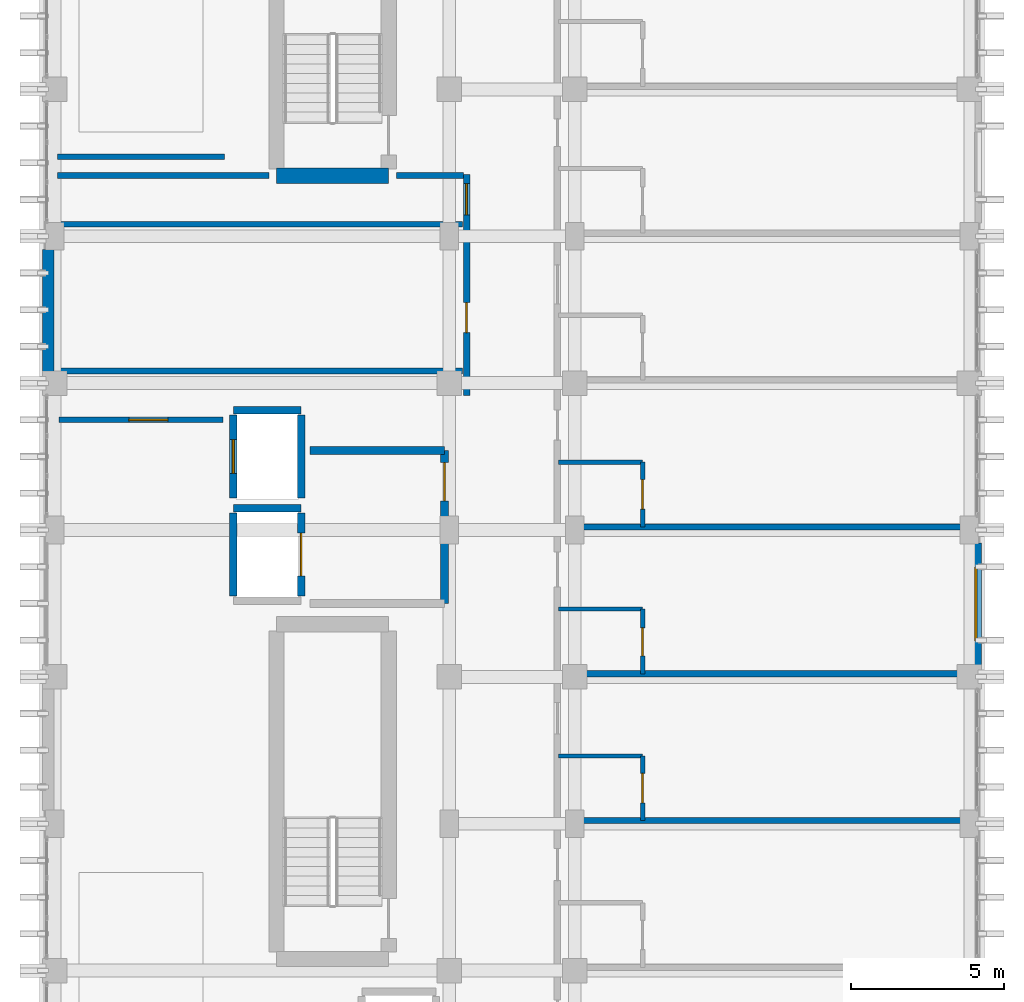
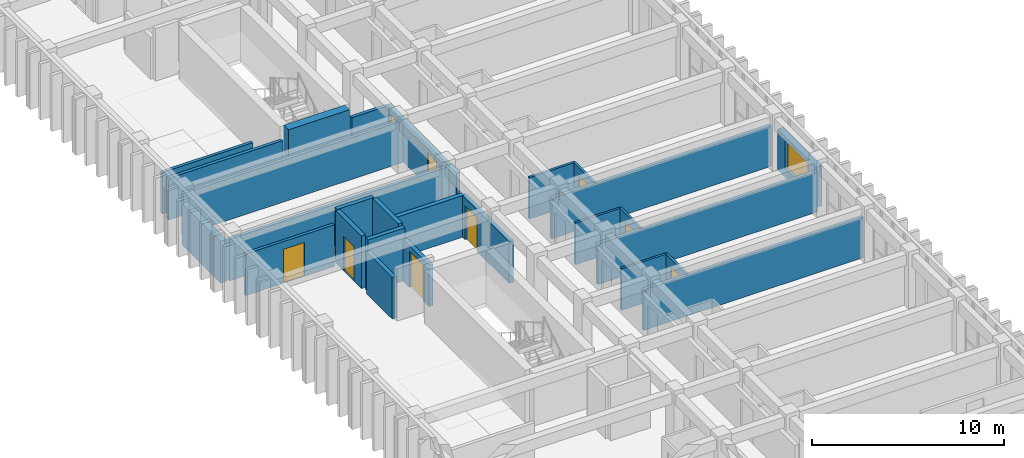
# One storey, part 66 of 82: 27 walls, 9 doors, 1 window, 10 openings.
"""IFC4 building model written with IfcOpenShell, lengths in metres."""

from ifc_helpers import new_model, si_unit, direction, frame, frame_2d, origin, place, context, subcontext, project, spatial, rectangle, extrude, material, layer, layer_set, type_object, element, fill, save


model = new_model("IFC4")

# Units and contexts
model_context = context("Model", 3, precision=1e-05, world=origin(), true_north=direction((0.0, 1.0)))
body_context = subcontext(model_context, "Body", "Model", "MODEL_VIEW")
ifc_project = project(units=[si_unit("LENGTHUNIT", "METRE"), si_unit("AREAUNIT", "SQUARE_METRE"), si_unit("VOLUMEUNIT", "CUBIC_METRE"), si_unit("PLANEANGLEUNIT", "RADIAN"), si_unit("MASSUNIT", "GRAM", prefix="KILO")], contexts=[model_context])

# Site, building, storey
site_placement = place(None, origin())
site = spatial("IfcSite", under=ifc_project, at=site_placement, CompositionType="ELEMENT")
building_placement = place(site_placement, origin())
building = spatial("IfcBuilding", under=site, at=building_placement, Name="Nakhvara Creek Congress Hotel", CompositionType="ELEMENT")
storey_placement = place(building_placement, frame((0.0, 0.0, 21.0)))
storey = spatial("IfcBuildingStorey", under=building, at=storey_placement, Name="L04", CompositionType="ELEMENT", Elevation=21.0)

# Wall
ifc_material_1 = material(Name="Concrete C50/60", Category="concrete")
ifc_layer_1 = layer(ifc_material_1, 0.5)
ifc_layer_set_1 = layer_set([ifc_layer_1], Name="Concrete C50/60")
wall_type_1 = type_object("IfcWallType", Name="W-CORE-500", PredefinedType="SHEAR", material=ifc_layer_set_1)
wall_1_placement = place(storey_placement, frame((156.699951171875, 102.780029296875, 0.0), z_axis=(0.0, 0.0, 1.0), x_axis=(1.0, 0.0, 0.0)))
element("IfcWall", 1, at=wall_1_placement, inside=storey, type_object=wall_type_1, Name="Core Shear Wall WS01-CWALL-L04-0376", PredefinedType="SHEAR", context=body_context, shape_type="SweptSolid", body=[
    extrude(rectangle(XDim=3.670166015625, YDim=0.5, at=frame_2d((1.8349609375, 0.0))), origin(), (0.0, 0.0, 1.0), 3.340087890625),
])

# Wall, openings, doors
ifc_material_2 = material(Name="Gypsum acoustic board on steel stud", Category="steel")
ifc_layer_2 = layer(ifc_material_2, 0.219970703125)
ifc_layer_set_2 = layer_set([ifc_layer_2], Name="Gypsum acoustic board on steel stud")
wall_type_2 = type_object("IfcWallType", Name="W-CORR-220", PredefinedType="PARTITIONING", material=ifc_layer_set_2)
wall_2_placement = place(storey_placement, frame((162.919921875, 95.60009765625, 0.0), z_axis=(0.0, 0.0, 1.0), x_axis=(0.0, 1.0, 0.0)))
wall_2 = element("IfcWall", 2, at=wall_2_placement, inside=storey, type_object=wall_type_2, Name="Interior Wall WP11-IW-L04-0286", PredefinedType="PARTITIONING", context=body_context, shape_type="SweptSolid", body=[
    extrude(rectangle(XDim=7.219970703125, YDim=0.219970703125, at=frame_2d((3.60986328125, 0.0))), origin(), (0.0, 0.0, 1.0), 2.652099609375),
])
opening_1_placement = place(wall_2_placement, frame((2.050048828125, 0.0, 0.0)))
opening_1 = element("IfcOpeningElement", 3, at=opening_1_placement, cuts=wall_2, Name="Opening MD03", PredefinedType="OPENING", context=body_context, shape_type="SweptSolid", body=[
    extrude(rectangle(XDim=0.97998046875, YDim=2.14990234375, at=frame_2d((0.489990234375, 1.074951171875))), frame((0.0, 0.1220703125, 0.0), z_axis=(0.0, -1.0, 0.0), x_axis=(1.0, 0.0, 0.0)), (0.0, 0.0, 1.0), 0.243896484375),
])
opening_2_placement = place(wall_2_placement, frame((5.89990234375, 0.0, 0.0)))
opening_2 = element("IfcOpeningElement", 4, at=opening_2_placement, cuts=wall_2, Name="Opening GD01", PredefinedType="OPENING", context=body_context, shape_type="SweptSolid", body=[
    extrude(rectangle(XDim=1.02001953125, YDim=2.199951171875, at=frame_2d((0.510009765625, 1.10009765625))), frame((0.0, 0.1220703125, 0.0), z_axis=(0.0, -1.0, 0.0), x_axis=(1.0, 0.0, 0.0)), (0.0, 0.0, 1.0), 0.243896484375),
])
ifc_material_3 = material(Name="Walnut hardwood timber fire door", Category="wood")
door_type_1 = type_object("IfcDoorType", Name="DT-GUEST-102", OperationType="NOTDEFINED", PredefinedType="DOOR", material=ifc_material_3)
door_1_placement = place(opening_2_placement, frame((1.02001953125, 0.0, 0.0), z_axis=(0.0, 0.0, 1.0), x_axis=(-1.0, 0.0, 0.0)))
door_1 = element("IfcDoor", 5, at=door_1_placement, inside=storey, type_object=door_type_1, Name="Interior Door GD01-0254", OperationType="SINGLE_SWING_LEFT", OverallHeight=2.199951171875, OverallWidth=1.02001953125, PredefinedType="DOOR", context=body_context, shape_type="SweptSolid", body=[
    extrude(rectangle(XDim=1.02001953125, YDim=2.199951171875, at=frame_2d((0.510009765625, 1.10009765625))), frame((0.0, 0.02490234375, 0.0), z_axis=(0.0, -1.0, 0.0), x_axis=(1.0, 0.0, 0.0)), (0.0, 0.0, 1.0), 0.050048828125),
])
fill(opening_2, door_1)
ifc_material_4 = material(Name="Acoustic ISO 2603 sound-lock timber door", Category="wood")
door_type_2 = type_object("IfcDoorType", Name="DT-ISO-098", OperationType="NOTDEFINED", PredefinedType="DOOR", material=ifc_material_4)
door_2_placement = place(opening_1_placement, frame((0.97998046875, 0.0, 0.0), z_axis=(0.0, 0.0, 1.0), x_axis=(-1.0, 0.0, 0.0)))
door_2 = element("IfcDoor", 6, at=door_2_placement, inside=storey, type_object=door_type_2, Name="Interior Door MD03-0253", OperationType="SINGLE_SWING_RIGHT", OverallHeight=2.14990234375, OverallWidth=0.97998046875, PredefinedType="DOOR", context=body_context, shape_type="SweptSolid", body=[
    extrude(rectangle(XDim=0.97998046875, YDim=2.14990234375, at=frame_2d((0.489990234375, 1.074951171875))), frame((0.0, 0.02490234375, 0.0), z_axis=(0.0, -1.0, 0.0), x_axis=(1.0, 0.0, 0.0)), (0.0, 0.0, 1.0), 0.050048828125),
])
fill(opening_1, door_2)

# Wall, opening, door
ifc_material_5 = material(Name="Moisture-resistant gypsum board partition")
ifc_layer_3 = layer(ifc_material_5, 0.139892578125)
ifc_layer_set_3 = layer_set([ifc_layer_3], Name="Moisture-resistant gypsum board partition")
wall_type_3 = type_object("IfcWallType", Name="W-ENS-140", PredefinedType="PARTITIONING", material=ifc_layer_set_3)
wall_3_placement = place(storey_placement, frame((168.669921875, 81.699951171875, 0.0), z_axis=(0.0, 0.0, 1.0), x_axis=(0.0, 1.0, 0.0)))
wall_3 = element("IfcWall", 7, at=wall_3_placement, inside=storey, type_object=wall_type_3, Name="Interior Wall WP15-IW-L04-0341", PredefinedType="PARTITIONING", context=body_context, shape_type="SweptSolid", body=[
    extrude(rectangle(XDim=2.115966796875, YDim=0.139892578125, at=frame_2d((1.05810546875, 0.0))), origin(), (0.0, 0.0, 1.0), 2.652099609375),
])
opening_3_placement = place(wall_3_placement, frame((0.5830078125, 0.0, 0.0)))
opening_3 = element("IfcOpeningElement", 8, at=opening_3_placement, cuts=wall_3, Name="Opening ID02", PredefinedType="OPENING", context=body_context, shape_type="SweptSolid", body=[
    extrude(rectangle(XDim=0.9599609375, YDim=2.1201171875, at=frame_2d((0.47998046875, 1.06005859375))), frame((0.0, 0.08203125, 0.0), z_axis=(0.0, -1.0, 0.0), x_axis=(1.0, 0.0, 0.0)), (0.0, 0.0, 1.0), 0.163818359375),
])
ifc_material_6 = material(Name="Moisture-resistant walnut timber door", Category="wood")
door_type_3 = type_object("IfcDoorType", Name="DT-ENS-096", OperationType="NOTDEFINED", PredefinedType="DOOR", material=ifc_material_6)
door_3_placement = place(opening_3_placement, frame((0.9599609375, 0.0, 0.0), z_axis=(0.0, 0.0, 1.0), x_axis=(-1.0, 0.0, 0.0)))
door_3 = element("IfcDoor", 9, at=door_3_placement, inside=storey, type_object=door_type_3, Name="Interior Door ID02-0285", OperationType="SINGLE_SWING_RIGHT", OverallHeight=2.1201171875, OverallWidth=0.9599609375, PredefinedType="DOOR", context=body_context, shape_type="SweptSolid", body=[
    extrude(rectangle(XDim=0.9599609375, YDim=2.1201171875, at=frame_2d((0.47998046875, 1.06005859375))), frame((0.0, 0.02490234375, 0.0), z_axis=(0.0, -1.0, 0.0), x_axis=(1.0, 0.0, 0.0)), (0.0, 0.0, 1.0), 0.050048828125),
])
fill(opening_3, door_3)

# Wall
wall_4_placement = place(storey_placement, frame((165.919921875, 83.81591796875, 0.0), z_axis=(0.0, 0.0, 1.0), x_axis=(1.0, 0.0, 0.0)))
element("IfcWall", 10, at=wall_4_placement, inside=storey, type_object=wall_type_3, Name="Interior Wall WP15-IW-L04-0342", PredefinedType="PARTITIONING", context=body_context, shape_type="SweptSolid", body=[
    extrude(rectangle(XDim=2.75, YDim=0.139892578125, at=frame_2d((1.375, 0.0))), origin(), (0.0, 0.0, 1.0), 2.652099609375),
])

# Wall, opening, door
wall_5_placement = place(storey_placement, frame((168.669921875, 86.5, 0.0), z_axis=(0.0, 0.0, 1.0), x_axis=(0.0, 1.0, 0.0)))
wall_5 = element("IfcWall", 11, at=wall_5_placement, inside=storey, type_object=wall_type_3, Name="Interior Wall WP15-IW-L04-0344", PredefinedType="PARTITIONING", context=body_context, shape_type="SweptSolid", body=[
    extrude(rectangle(XDim=2.115966796875, YDim=0.139892578125, at=frame_2d((1.05810546875, 0.0))), origin(), (0.0, 0.0, 1.0), 2.652099609375),
])
opening_4_placement = place(wall_5_placement, frame((0.5830078125, 0.0, 0.0)))
opening_4 = element("IfcOpeningElement", 12, at=opening_4_placement, cuts=wall_5, Name="Opening ID01", PredefinedType="OPENING", context=body_context, shape_type="SweptSolid", body=[
    extrude(rectangle(XDim=0.919921875, YDim=2.10009765625, at=frame_2d((0.4599609375, 1.050048828125))), frame((0.0, 0.08203125, 0.0), z_axis=(0.0, -1.0, 0.0), x_axis=(1.0, 0.0, 0.0)), (0.0, 0.0, 1.0), 0.163818359375),
])
door_type_4 = type_object("IfcDoorType", Name="DT-ENS-092", OperationType="NOTDEFINED", PredefinedType="DOOR", material=ifc_material_6)
door_4_placement = place(opening_4_placement, frame((0.919921875, 0.0, 0.0), z_axis=(0.0, 0.0, 1.0), x_axis=(-1.0, 0.0, 0.0)))
door_4 = element("IfcDoor", 13, at=door_4_placement, inside=storey, type_object=door_type_4, Name="Interior Door ID01-0287", OperationType="SINGLE_SWING_RIGHT", OverallHeight=2.10009765625, OverallWidth=0.919921875, PredefinedType="DOOR", context=body_context, shape_type="SweptSolid", body=[
    extrude(rectangle(XDim=0.919921875, YDim=2.10009765625, at=frame_2d((0.4599609375, 1.050048828125))), frame((0.0, 0.02490234375, 0.0), z_axis=(0.0, -1.0, 0.0), x_axis=(1.0, 0.0, 0.0)), (0.0, 0.0, 1.0), 0.050048828125),
])
fill(opening_4, door_4)

# Wall
wall_6_placement = place(storey_placement, frame((165.919921875, 88.615966796875, 0.0), z_axis=(0.0, 0.0, 1.0), x_axis=(1.0, 0.0, 0.0)))
element("IfcWall", 14, at=wall_6_placement, inside=storey, type_object=wall_type_3, Name="Interior Wall WP15-IW-L04-0345", PredefinedType="PARTITIONING", context=body_context, shape_type="SweptSolid", body=[
    extrude(rectangle(XDim=2.75, YDim=0.139892578125, at=frame_2d((1.375, 0.0))), origin(), (0.0, 0.0, 1.0), 2.652099609375),
])

# Wall, opening, door
wall_7_placement = place(storey_placement, frame((168.669921875, 91.300048828125, 0.0), z_axis=(0.0, 0.0, 1.0), x_axis=(0.0, 1.0, 0.0)))
wall_7 = element("IfcWall", 15, at=wall_7_placement, inside=storey, type_object=wall_type_3, Name="Interior Wall WP15-IW-L04-0347", PredefinedType="PARTITIONING", context=body_context, shape_type="SweptSolid", body=[
    extrude(rectangle(XDim=2.115966796875, YDim=0.139892578125, at=frame_2d((1.05810546875, 0.0))), origin(), (0.0, 0.0, 1.0), 2.652099609375),
])
opening_5_placement = place(wall_7_placement, frame((0.5830078125, 0.0, 0.0)))
opening_5 = element("IfcOpeningElement", 16, at=opening_5_placement, cuts=wall_7, Name="Opening ID02", PredefinedType="OPENING", context=body_context, shape_type="SweptSolid", body=[
    extrude(rectangle(XDim=0.9599609375, YDim=2.1201171875, at=frame_2d((0.47998046875, 1.06005859375))), frame((0.0, 0.08203125, 0.0), z_axis=(0.0, -1.0, 0.0), x_axis=(1.0, 0.0, 0.0)), (0.0, 0.0, 1.0), 0.163818359375),
])
door_5_placement = place(opening_5_placement, frame((0.9599609375, 0.0, 0.0), z_axis=(0.0, 0.0, 1.0), x_axis=(-1.0, 0.0, 0.0)))
door_5 = element("IfcDoor", 17, at=door_5_placement, inside=storey, type_object=door_type_3, Name="Interior Door ID02-0289", OperationType="SINGLE_SWING_RIGHT", OverallHeight=2.1201171875, OverallWidth=0.9599609375, PredefinedType="DOOR", context=body_context, shape_type="SweptSolid", body=[
    extrude(rectangle(XDim=0.9599609375, YDim=2.1201171875, at=frame_2d((0.47998046875, 1.06005859375))), frame((0.0, 0.02490234375, 0.0), z_axis=(0.0, -1.0, 0.0), x_axis=(1.0, 0.0, 0.0)), (0.0, 0.0, 1.0), 0.050048828125),
])
fill(opening_5, door_5)

# Wall
wall_8_placement = place(storey_placement, frame((165.919921875, 93.416015625, 0.0), z_axis=(0.0, 0.0, 1.0), x_axis=(1.0, 0.0, 0.0)))
element("IfcWall", 18, at=wall_8_placement, inside=storey, type_object=wall_type_3, Name="Interior Wall WP15-IW-L04-0348", PredefinedType="PARTITIONING", context=body_context, shape_type="SweptSolid", body=[
    extrude(rectangle(XDim=2.75, YDim=0.139892578125, at=frame_2d((1.375, 0.0))), origin(), (0.0, 0.0, 1.0), 2.652099609375),
])

# Wall, opening, window
ifc_material_7 = material(Name="Honed pale Omani limestone cladding", Category="masonry")
ifc_layer_4 = layer(ifc_material_7, 0.050048828125)
ifc_material_8 = material(Name="Mineral wool thermal insulation")
ifc_layer_5 = layer(ifc_material_8, 0.110107421875)
ifc_material_9 = material(Name="Precast concrete C40/50", Category="concrete")
ifc_layer_6 = layer(ifc_material_9, 0.219970703125)
ifc_layer_set_4 = layer_set([ifc_layer_4, ifc_layer_5, ifc_layer_6], Name="Precast concrete C40/50")
wall_type_4 = type_object("IfcWallType", Name="W-EXT-380", PredefinedType="SOLIDWALL", material=ifc_layer_set_4)
wall_9_placement = place(storey_placement, frame((179.56005859375, 90.77490234375, 0.0), z_axis=(0.0, 0.0, 1.0), x_axis=(0.0, -1.0, 0.0)))
wall_9 = element("IfcWall", 19, at=wall_9_placement, inside=storey, type_object=wall_type_4, Name="Exterior Wall WE03-EW-L04-0142", PredefinedType="SOLIDWALL", context=body_context, shape_type="SweptSolid", body=[
    extrude(rectangle(XDim=4.0, YDim=0.3798828125, at=frame_2d((2.0, 0.0))), origin(), (0.0, 0.0, 1.0), 2.58203125),
])
opening_6_placement = place(wall_9_placement, frame((0.800048828125, 0.0, 0.550048828125)))
opening_6 = element("IfcOpeningElement", 20, at=opening_6_placement, cuts=wall_9, Name="Opening WN0152", PredefinedType="OPENING", context=body_context, shape_type="SweptSolid", body=[
    extrude(rectangle(XDim=2.39990234375, YDim=1.800048828125, at=frame_2d((1.199951171875, 0.89990234375))), frame((0.0, 0.201904296875, 0.0), z_axis=(0.0, -1.0, 0.0), x_axis=(1.0, 0.0, 0.0)), (0.0, 0.0, 1.0), 0.40380859375),
])
ifc_material_10 = material(Name="Thermally broken bronze-anodised aluminium and double-silver low-E insulated glass", Category="aluminium")
window_type = type_object("IfcWindowType", Name="WN-LAN-240X240", PartitioningType="SINGLE_PANEL", PredefinedType="WINDOW", material=ifc_material_10)
window_placement = place(opening_6_placement, origin())
window = element("IfcWindow", 21, at=window_placement, inside=storey, type_object=window_type, Name="Facade Window WN0152", OverallHeight=1.800048828125, OverallWidth=2.39990234375, PartitioningType="SINGLE_PANEL", PredefinedType="WINDOW", context=body_context, shape_type="SweptSolid", body=[
    extrude(rectangle(XDim=2.39990234375, YDim=1.800048828125, at=frame_2d((1.199951171875, 0.89990234375))), frame((0.0, 0.030029296875, 0.0), z_axis=(0.0, -1.0, 0.0), x_axis=(1.0, 0.0, 0.0)), (0.0, 0.0, 1.0), 0.06005859375),
])
fill(opening_6, window)

# Wall
wall_10_placement = place(storey_placement, frame((149.239990234375, 96.375, 0.0), z_axis=(0.0, 0.0, 1.0), x_axis=(0.0, 1.0, 0.0)))
element("IfcWall", 22, at=wall_10_placement, inside=storey, type_object=wall_type_4, Name="Exterior Wall WE03-EW-L04-0143", PredefinedType="SOLIDWALL", context=body_context, shape_type="SweptSolid", body=[
    extrude(rectangle(XDim=4.0, YDim=0.3798828125, at=frame_2d((2.0, 0.0))), origin(), (0.0, 0.0, 1.0), 2.652099609375),
])

# Wall, opening, door
ifc_material_11 = material(Name="Concrete C40/50", Category="concrete")
ifc_layer_7 = layer(ifc_material_11, 0.260009765625)
ifc_layer_set_5 = layer_set([ifc_layer_7], Name="Concrete C40/50")
wall_type_5 = type_object("IfcWallType", Name="W-FFL-260", PredefinedType="SOLIDWALL", material=ifc_layer_set_5)
wall_11_placement = place(storey_placement, frame((162.199951171875, 88.800048828125, 0.0), z_axis=(0.0, 0.0, 1.0), x_axis=(0.0, 1.0, 0.0)))
wall_11 = element("IfcWall", 23, at=wall_11_placement, inside=storey, type_object=wall_type_5, Name="Core Shear Wall WI03-CWALL-L04-0124", PredefinedType="SOLIDWALL", context=body_context, shape_type="SweptSolid", body=[
    extrude(rectangle(XDim=5.0, YDim=0.260009765625, at=frame_2d((2.5, 0.0))), origin(), (0.0, 0.0, 1.0), 2.652099609375),
])
opening_7_placement = place(wall_11_placement, frame((3.35009765625, 0.0, 0.0)))
opening_7 = element("IfcOpeningElement", 24, at=opening_7_placement, cuts=wall_11, Name="Opening FD05", PredefinedType="OPENING", context=body_context, shape_type="SweptSolid", body=[
    extrude(rectangle(XDim=1.25, YDim=2.14990234375, at=frame_2d((0.625, 1.074951171875))), frame((0.0, 0.14208984375, 0.0), z_axis=(0.0, -1.0, 0.0), x_axis=(1.0, 0.0, 0.0)), (0.0, 0.0, 1.0), 0.283935546875),
])
ifc_material_12 = material(Name="Hardwood-veneered steel fire door", Category="steel")
door_type_5 = type_object("IfcDoorType", Name="DT-FFL-125", OperationType="NOTDEFINED", PredefinedType="DOOR", material=ifc_material_12)
door_6_placement = place(opening_7_placement, origin())
door_6 = element("IfcDoor", 25, at=door_6_placement, inside=storey, type_object=door_type_5, Name="Firefighting Lobby Door C1-L04", OperationType="DOUBLE_DOOR_SINGLE_SWING", OverallHeight=2.14990234375, OverallWidth=1.25, PredefinedType="DOOR", context=body_context, shape_type="SweptSolid", body=[
    extrude(rectangle(XDim=1.25, YDim=2.14990234375, at=frame_2d((0.625, 1.074951171875))), frame((0.0, 0.02490234375, 0.0), z_axis=(0.0, -1.0, 0.0), x_axis=(1.0, 0.0, 0.0)), (0.0, 0.0, 1.0), 0.050048828125),
])
fill(opening_7, door_6)

# Walls
wall_12_placement = place(storey_placement, frame((157.800048828125, 93.800048828125, 0.0), z_axis=(0.0, 0.0, 1.0), x_axis=(1.0, 0.0, 0.0)))
element("IfcWall", 26, at=wall_12_placement, inside=storey, type_object=wall_type_5, Name="Core Shear Wall WI03-CWALL-L04-0126", PredefinedType="SOLIDWALL", context=body_context, shape_type="SweptSolid", body=[
    extrude(rectangle(XDim=4.39990234375, YDim=0.260009765625, at=frame_2d((2.199951171875, 0.0))), origin(), (0.0, 0.0, 1.0), 2.652099609375),
])
ifc_layer_8 = layer(ifc_material_2, 0.179931640625)
ifc_layer_set_6 = layer_set([ifc_layer_8], Name="Gypsum acoustic board on steel stud")
wall_type_6 = type_object("IfcWallType", Name="W-MEET-180", PredefinedType="PARTITIONING", material=ifc_layer_set_6)
wall_13_placement = place(storey_placement, frame((149.550048828125, 101.199951171875, 0.0), z_axis=(0.0, 0.0, 1.0), x_axis=(1.0, 0.0, 0.0)))
element("IfcWall", 27, at=wall_13_placement, inside=storey, type_object=wall_type_6, Name="Interior Wall WP13-IW-L04-0292", PredefinedType="PARTITIONING", context=body_context, shape_type="SweptSolid", body=[
    extrude(rectangle(XDim=13.22998046875, YDim=0.179931640625, at=frame_2d((6.614990234375, 0.0))), origin(), (0.0, 0.0, 1.0), 2.652099609375),
])

# Wall, opening, door
wall_14_placement = place(storey_placement, frame((149.60009765625, 94.800048828125, 0.0), z_axis=(0.0, 0.0, 1.0), x_axis=(1.0, 0.0, 0.0)))
wall_14 = element("IfcWall", 28, at=wall_14_placement, inside=storey, type_object=wall_type_6, Name="Interior Wall WP13-IW-L04-0296", PredefinedType="PARTITIONING", context=body_context, shape_type="SweptSolid", body=[
    extrude(rectangle(XDim=5.349853515625, YDim=0.179931640625, at=frame_2d((2.6748046875, 0.0))), origin(), (0.0, 0.0, 1.0), 2.652099609375),
])
opening_8_placement = place(wall_14_placement, frame((2.27490234375, 0.0, 0.0)))
opening_8 = element("IfcOpeningElement", 29, at=opening_8_placement, cuts=wall_14, Name="Opening ID07", PredefinedType="OPENING", context=body_context, shape_type="SweptSolid", body=[
    extrude(rectangle(XDim=1.280029296875, YDim=2.159912109375, at=frame_2d((0.64013671875, 1.080078125))), frame((0.0, 0.10205078125, 0.0), z_axis=(0.0, -1.0, 0.0), x_axis=(1.0, 0.0, 0.0)), (0.0, 0.0, 1.0), 0.203857421875),
])
ifc_material_13 = material(Name="Brushed stainless-clad BOH door")
door_type_6 = type_object("IfcDoorType", Name="DT-BOH-128", OperationType="NOTDEFINED", PredefinedType="DOOR", material=ifc_material_13)
door_7_placement = place(opening_8_placement, origin())
door_7 = element("IfcDoor", 30, at=door_7_placement, inside=storey, type_object=door_type_6, Name="Interior Door ID07-0255", OperationType="SINGLE_SWING_RIGHT", OverallHeight=2.159912109375, OverallWidth=1.280029296875, PredefinedType="DOOR", context=body_context, shape_type="SweptSolid", body=[
    extrude(rectangle(XDim=1.280029296875, YDim=2.159912109375, at=frame_2d((0.64013671875, 1.080078125))), frame((0.0, 0.02490234375, 0.0), z_axis=(0.0, -1.0, 0.0), x_axis=(1.0, 0.0, 0.0)), (0.0, 0.0, 1.0), 0.050048828125),
])
fill(opening_8, door_7)

# Walls
wall_15_placement = place(storey_placement, frame((149.550048828125, 103.39990234375, 0.0), z_axis=(0.0, 0.0, 1.0), x_axis=(1.0, 0.0, 0.0)))
element("IfcWall", 31, at=wall_15_placement, inside=storey, type_object=wall_type_6, Name="Interior Wall WP13-IW-L04-0297", PredefinedType="PARTITIONING", context=body_context, shape_type="SweptSolid", body=[
    extrude(rectangle(XDim=5.449951171875, YDim=0.179931640625, at=frame_2d((2.72509765625, 0.0))), origin(), (0.0, 0.0, 1.0), 2.652099609375),
])
ifc_layer_9 = layer(ifc_material_2, 0.199951171875)
ifc_layer_set_7 = layer_set([ifc_layer_9], Name="Gypsum acoustic board on steel stud")
wall_type_7 = type_object("IfcWallType", Name="W-PART-200", PredefinedType="PARTITIONING", material=ifc_layer_set_7)
wall_16_placement = place(storey_placement, frame((149.550048828125, 96.39990234375, 0.0), z_axis=(0.0, 0.0, 1.0), x_axis=(1.0, 0.0, 0.0)))
element("IfcWall", 32, at=wall_16_placement, inside=storey, type_object=wall_type_7, Name="Interior Wall WP12-IW-L04-0291", PredefinedType="PARTITIONING", context=body_context, shape_type="SweptSolid", body=[
    extrude(rectangle(XDim=13.22998046875, YDim=0.199951171875, at=frame_2d((6.614990234375, 0.0))), origin(), (0.0, 0.0, 1.0), 2.652099609375),
])
wall_17_placement = place(storey_placement, frame((149.550048828125, 102.780029296875, 0.0), z_axis=(0.0, 0.0, 1.0), x_axis=(1.0, 0.0, 0.0)))
element("IfcWall", 33, at=wall_17_placement, inside=storey, type_object=wall_type_7, Name="Interior Wall WP12-IW-L04-0293", PredefinedType="PARTITIONING", context=body_context, shape_type="SweptSolid", body=[
    extrude(rectangle(XDim=6.89990234375, YDim=0.199951171875, at=frame_2d((3.449951171875, 0.0))), origin(), (0.0, 0.0, 1.0), 2.652099609375),
])
wall_18_placement = place(storey_placement, frame((160.6201171875, 102.780029296875, 0.0), z_axis=(0.0, 0.0, 1.0), x_axis=(1.0, 0.0, 0.0)))
element("IfcWall", 34, at=wall_18_placement, inside=storey, type_object=wall_type_7, Name="Interior Wall WP12-IW-L04-0294", PredefinedType="PARTITIONING", context=body_context, shape_type="SweptSolid", body=[
    extrude(rectangle(XDim=2.18994140625, YDim=0.199951171875, at=frame_2d((1.094970703125, 0.0))), origin(), (0.0, 0.0, 1.0), 2.652099609375),
])
for number, where, z_axis, x_axis, name in (
    (35, (166.02001953125, 81.699951171875, 0.0), (0.0, 0.0, 1.0), (1.0, 0.0, 0.0), "Interior Wall WP12-IW-L04-0340"),
    (36, (166.02001953125, 86.5, 0.0), (0.0, 0.0, 1.0), (1.0, 0.0, 0.0), "Interior Wall WP12-IW-L04-0343"),
    (37, (166.02001953125, 91.300048828125, 0.0), (0.0, 0.0, 1.0), (1.0, 0.0, 0.0), "Interior Wall WP12-IW-L04-0346"),
):
    element("IfcWall", number, at=place(storey_placement, frame(where, z_axis=z_axis, x_axis=x_axis)), inside=storey, type_object=wall_type_7, Name=name, PredefinedType="PARTITIONING", context=body_context, shape_type="SweptSolid", body=[
        extrude(rectangle(XDim=13.22998046875, YDim=0.199951171875, at=frame_2d((6.614990234375, 0.0))), origin(), (0.0, 0.0, 1.0), 2.58203125),
    ])
ifc_layer_10 = layer(ifc_material_11, 0.25)
ifc_layer_set_8 = layer_set([ifc_layer_10], Name="Concrete C40/50")
wall_type_8 = type_object("IfcWallType", Name="W-SHAFT-250", PredefinedType="SOLIDWALL", material=ifc_layer_set_8)
wall_19_placement = place(storey_placement, frame((155.2900390625, 91.909912109375, 0.0), z_axis=(0.0, 0.0, 1.0), x_axis=(1.0, 0.0, 0.0)))
element("IfcWall", 38, at=wall_19_placement, inside=storey, type_object=wall_type_8, Name="Core Shear Wall WI02-CWALL-L04-0114", PredefinedType="SOLIDWALL", context=body_context, shape_type="SweptSolid", body=[
    extrude(rectangle(XDim=2.219970703125, YDim=0.25, at=frame_2d((1.10986328125, 0.0))), origin(), (0.0, 0.0, 1.0), 3.340087890625),
])
wall_20_placement = place(storey_placement, frame((155.2900390625, 89.050048828125, 0.0), z_axis=(0.0, 0.0, 1.0), x_axis=(0.0, 1.0, 0.0)))
element("IfcWall", 39, at=wall_20_placement, inside=storey, type_object=wall_type_8, Name="Core Shear Wall WI02-CWALL-L04-0115", PredefinedType="SOLIDWALL", context=body_context, shape_type="SweptSolid", body=[
    extrude(rectangle(XDim=2.699951171875, YDim=0.25, at=frame_2d((1.35009765625, 0.0))), origin(), (0.0, 0.0, 1.0), 2.652099609375),
])

# Wall, opening, door
wall_21_placement = place(storey_placement, frame((157.510009765625, 89.050048828125, 0.0), z_axis=(0.0, 0.0, 1.0), x_axis=(0.0, 1.0, 0.0)))
wall_21 = element("IfcWall", 40, at=wall_21_placement, inside=storey, type_object=wall_type_8, Name="Core Shear Wall WI02-CWALL-L04-0116", PredefinedType="SOLIDWALL", context=body_context, shape_type="SweptSolid", body=[
    extrude(rectangle(XDim=2.699951171875, YDim=0.25, at=frame_2d((1.35009765625, 0.0))), origin(), (0.0, 0.0, 1.0), 2.652099609375),
])
opening_9_placement = place(wall_21_placement, frame((0.64990234375, 0.0, 0.0)))
opening_9 = element("IfcOpeningElement", 41, at=opening_9_placement, cuts=wall_21, Name="Opening LD02", PredefinedType="OPENING", context=body_context, shape_type="SweptSolid", body=[
    extrude(rectangle(XDim=1.39990234375, YDim=2.300048828125, at=frame_2d((0.699951171875, 1.14990234375))), frame((0.0, 0.136962890625, 0.0), z_axis=(0.0, -1.0, 0.0), x_axis=(1.0, 0.0, 0.0)), (0.0, 0.0, 1.0), 0.27392578125),
])
ifc_material_14 = material(Name="Brushed stainless steel heavy goods landing door", Category="steel")
door_type_7 = type_object("IfcDoorType", Name="DT-LIFT-140", OperationType="DOUBLE_DOOR_SLIDING", PredefinedType="DOOR", material=ifc_material_14)
door_8_placement = place(opening_9_placement, origin())
door_8 = element("IfcDoor", 42, at=door_8_placement, inside=storey, type_object=door_type_7, Name="Landing Door FFL1-L04", OperationType="SLIDING_TO_LEFT", OverallHeight=2.300048828125, OverallWidth=1.39990234375, PredefinedType="DOOR", context=body_context, shape_type="SweptSolid", body=[
    extrude(rectangle(XDim=1.39990234375, YDim=2.300048828125, at=frame_2d((0.699951171875, 1.14990234375))), frame((0.0, 0.02490234375, 0.0), z_axis=(0.0, -1.0, 0.0), x_axis=(1.0, 0.0, 0.0)), (0.0, 0.0, 1.0), 0.050048828125),
])
fill(opening_9, door_8)

# Wall
wall_22_placement = place(storey_placement, frame((155.2900390625, 95.110107421875, 0.0), z_axis=(0.0, 0.0, 1.0), x_axis=(1.0, 0.0, 0.0)))
element("IfcWall", 43, at=wall_22_placement, inside=storey, type_object=wall_type_8, Name="Core Shear Wall WI02-CWALL-L04-0117", PredefinedType="SOLIDWALL", context=body_context, shape_type="SweptSolid", body=[
    extrude(rectangle(XDim=2.219970703125, YDim=0.25, at=frame_2d((1.10986328125, 0.0))), origin(), (0.0, 0.0, 1.0), 3.340087890625),
])

# Wall, opening, door
wall_23_placement = place(storey_placement, frame((155.2900390625, 92.25, 0.0), z_axis=(0.0, 0.0, 1.0), x_axis=(0.0, 1.0, 0.0)))
wall_23 = element("IfcWall", 44, at=wall_23_placement, inside=storey, type_object=wall_type_8, Name="Core Shear Wall WI02-CWALL-L04-0118", PredefinedType="SOLIDWALL", context=body_context, shape_type="SweptSolid", body=[
    extrude(rectangle(XDim=2.699951171875, YDim=0.25, at=frame_2d((1.35009765625, 0.0))), origin(), (0.0, 0.0, 1.0), 3.340087890625),
])
opening_10_placement = place(wall_23_placement, frame((0.800048828125, 0.0, 0.0)))
opening_10 = element("IfcOpeningElement", 45, at=opening_10_placement, cuts=wall_23, Name="Opening LD01", PredefinedType="OPENING", context=body_context, shape_type="SweptSolid", body=[
    extrude(rectangle(XDim=1.10009765625, YDim=2.199951171875, at=frame_2d((0.550048828125, 1.10009765625))), frame((0.0, 0.136962890625, 0.0), z_axis=(0.0, -1.0, 0.0), x_axis=(1.0, 0.0, 0.0)), (0.0, 0.0, 1.0), 0.27392578125),
])
ifc_material_15 = material(Name="Brushed stainless steel sliding landing door", Category="steel")
door_type_8 = type_object("IfcDoorType", Name="DT-LIFT-110", OperationType="DOUBLE_DOOR_SLIDING", PredefinedType="DOOR", material=ifc_material_15)
door_9_placement = place(opening_10_placement, origin())
door_9 = element("IfcDoor", 46, at=door_9_placement, inside=storey, type_object=door_type_8, Name="Landing Door SL01-L04", OperationType="SLIDING_TO_LEFT", OverallHeight=2.199951171875, OverallWidth=1.10009765625, PredefinedType="DOOR", context=body_context, shape_type="SweptSolid", body=[
    extrude(rectangle(XDim=1.10009765625, YDim=2.199951171875, at=frame_2d((0.550048828125, 1.10009765625))), frame((0.0, 0.02490234375, 0.0), z_axis=(0.0, -1.0, 0.0), x_axis=(1.0, 0.0, 0.0)), (0.0, 0.0, 1.0), 0.050048828125),
])
fill(opening_10, door_9)

# Wall
wall_24_placement = place(storey_placement, frame((157.510009765625, 92.25, 0.0), z_axis=(0.0, 0.0, 1.0), x_axis=(0.0, 1.0, 0.0)))
element("IfcWall", 47, at=wall_24_placement, inside=storey, type_object=wall_type_8, Name="Core Shear Wall WI02-CWALL-L04-0119", PredefinedType="SOLIDWALL", context=body_context, shape_type="SweptSolid", body=[
    extrude(rectangle(XDim=2.699951171875, YDim=0.25, at=frame_2d((1.35009765625, 0.0))), origin(), (0.0, 0.0, 1.0), 3.340087890625),
])

save(model, "model.ifc")
